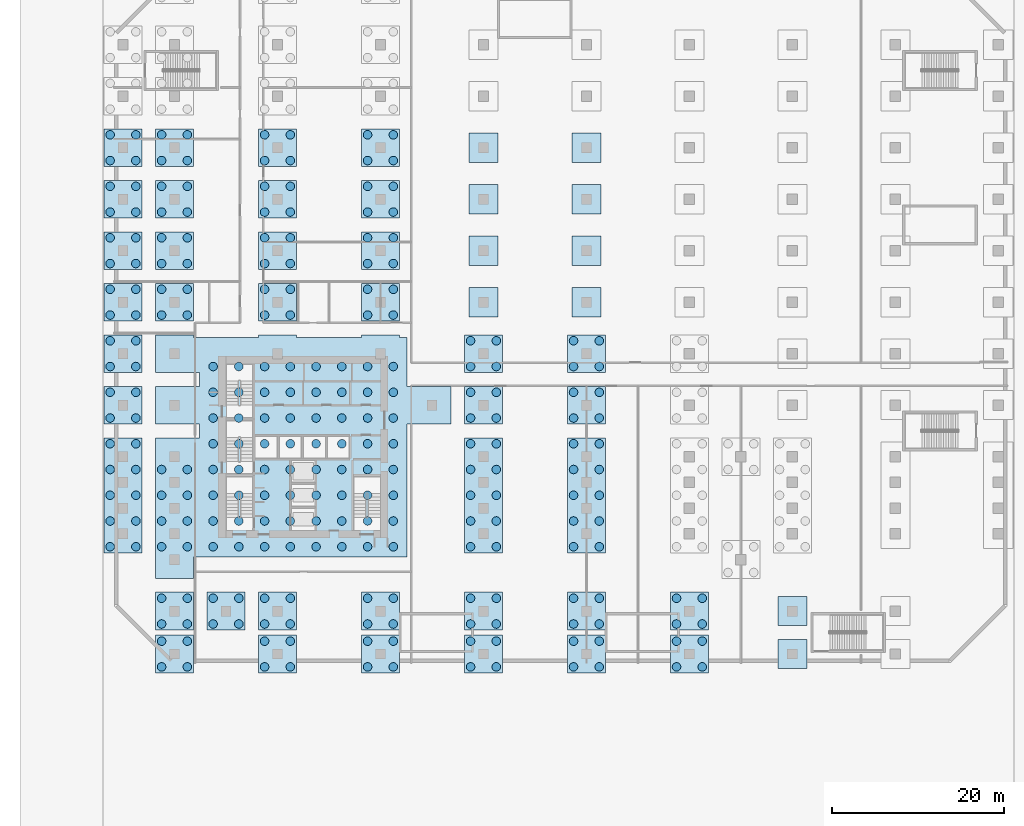
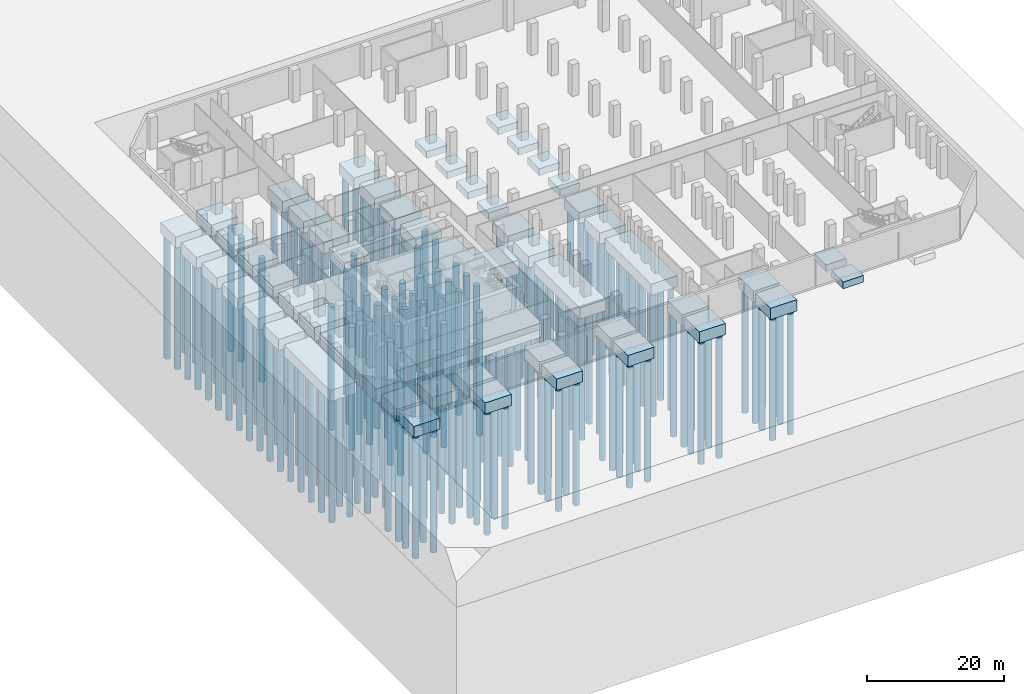
# One storey, part 1 of 16: 242 piles, 49 footings.
"""IFC4 building model written with IfcOpenShell, lengths in metres."""

from ifc_helpers import new_model, si_unit, direction, frame, origin, origin_2d, place, context, subcontext, project, spatial, polyline, rectangle, circle, outline, extrude, material, layer, layer_set, type_object, element, save


model = new_model("IFC4")

# Units and contexts
model_context = context("Model", 3, precision=1e-05, world=origin(), true_north=direction((0.0, 1.0)))
body_context = subcontext(model_context, "Body", "Model", "MODEL_VIEW")
ifc_project = project(units=[si_unit("LENGTHUNIT", "METRE"), si_unit("AREAUNIT", "SQUARE_METRE"), si_unit("VOLUMEUNIT", "CUBIC_METRE"), si_unit("PLANEANGLEUNIT", "RADIAN"), si_unit("MASSUNIT", "GRAM", prefix="KILO")], contexts=[model_context])

# Site, building, storey
site_placement = place(None, origin())
site = spatial("IfcSite", under=ifc_project, at=site_placement, CompositionType="ELEMENT")
building_placement = place(site_placement, origin())
building = spatial("IfcBuilding", under=site, at=building_placement, Name="Welwitschia Terrace Campus", CompositionType="ELEMENT")
storey_placement = place(building_placement, frame((0.0, 0.0, -6.0)))
storey = spatial("IfcBuildingStorey", under=building, at=storey_placement, Name="B1", CompositionType="ELEMENT", Elevation=-6.0)

# Piles
ifc_material_1 = material(Name="Concrete C40/50", Category="concrete")
pile_type_1 = type_object("IfcPileType", Name="Bored pile 1000", PredefinedType="BORED", material=ifc_material_1)
for number, where, z_axis, x_axis, name in (
    (1, (-1.5, 3.5, -2.699951171875), (0.0, 0.0, -1.0), (1.0, 0.0, 0.0), "Bored pile"),
    (2, (-1.5, 6.5, -2.699951171875), (0.0, 0.0, -1.0), (1.0, 0.0, 0.0), "Bored pile"),
    (3, (-1.5, 9.5, -2.699951171875), (0.0, 0.0, -1.0), (1.0, 0.0, 0.0), "Bored pile"),
    (4, (-1.5, 12.5, -2.699951171875), (0.0, 0.0, -1.0), (1.0, 0.0, 0.0), "Bored pile"),
    (5, (1.5, 3.5, -2.699951171875), (0.0, 0.0, -1.0), (1.0, 0.0, 0.0), "Bored pile"),
    (6, (1.5, 6.5, -2.699951171875), (0.0, 0.0, -1.0), (1.0, 0.0, 0.0), "Bored pile"),
    (7, (1.5, 9.5, -2.699951171875), (0.0, 0.0, -1.0), (1.0, 0.0, 0.0), "Bored pile"),
    (8, (1.5, 12.5, -2.699951171875), (0.0, 0.0, -1.0), (1.0, 0.0, 0.0), "Bored pile"),
    (9, (4.5, 3.5, -2.699951171875), (0.0, 0.0, -1.0), (1.0, 0.0, 0.0), "Bored pile"),
    (10, (4.5, 6.5, -2.699951171875), (0.0, 0.0, -1.0), (1.0, 0.0, 0.0), "Bored pile"),
    (11, (4.5, 9.5, -2.699951171875), (0.0, 0.0, -1.0), (1.0, 0.0, 0.0), "Bored pile"),
    (12, (4.5, 12.5, -2.699951171875), (0.0, 0.0, -1.0), (1.0, 0.0, 0.0), "Bored pile"),
    (13, (4.5, 15.5, -2.699951171875), (0.0, 0.0, -1.0), (1.0, 0.0, 0.0), "Bored pile"),
    (14, (4.5, 18.5, -2.699951171875), (0.0, 0.0, -1.0), (1.0, 0.0, 0.0), "Bored pile"),
    (15, (4.5, 21.5, -2.699951171875), (0.0, 0.0, -1.0), (1.0, 0.0, 0.0), "Bored pile"),
    (16, (4.5, 24.5, -2.699951171875), (0.0, 0.0, -1.0), (1.0, 0.0, 0.0), "Bored pile"),
    (17, (7.5, 3.5, -2.699951171875), (0.0, 0.0, -1.0), (1.0, 0.0, 0.0), "Bored pile"),
    (18, (7.5, 6.5, -2.699951171875), (0.0, 0.0, -1.0), (1.0, 0.0, 0.0), "Bored pile"),
    (19, (7.5, 9.5, -2.699951171875), (0.0, 0.0, -1.0), (1.0, 0.0, 0.0), "Bored pile"),
    (20, (7.5, 12.5, -2.699951171875), (0.0, 0.0, -1.0), (1.0, 0.0, 0.0), "Bored pile"),
    (21, (7.5, 15.5, -2.699951171875), (0.0, 0.0, -1.0), (1.0, 0.0, 0.0), "Bored pile"),
    (22, (7.5, 18.5, -2.699951171875), (0.0, 0.0, -1.0), (1.0, 0.0, 0.0), "Bored pile"),
    (23, (7.5, 21.5, -2.699951171875), (0.0, 0.0, -1.0), (1.0, 0.0, 0.0), "Bored pile"),
    (24, (7.5, 24.5, -2.699951171875), (0.0, 0.0, -1.0), (1.0, 0.0, 0.0), "Bored pile"),
    (25, (10.5, 3.5, -2.699951171875), (0.0, 0.0, -1.0), (1.0, 0.0, 0.0), "Bored pile"),
    (26, (10.5, 6.5, -2.699951171875), (0.0, 0.0, -1.0), (1.0, 0.0, 0.0), "Bored pile"),
    (27, (10.5, 9.5, -2.699951171875), (0.0, 0.0, -1.0), (1.0, 0.0, 0.0), "Bored pile"),
    (28, (10.5, 12.5, -2.699951171875), (0.0, 0.0, -1.0), (1.0, 0.0, 0.0), "Bored pile"),
    (29, (10.5, 15.5, -2.699951171875), (0.0, 0.0, -1.0), (1.0, 0.0, 0.0), "Bored pile"),
    (30, (10.5, 18.5, -2.699951171875), (0.0, 0.0, -1.0), (1.0, 0.0, 0.0), "Bored pile"),
    (31, (10.5, 21.5, -2.699951171875), (0.0, 0.0, -1.0), (1.0, 0.0, 0.0), "Bored pile"),
    (32, (10.5, 24.5, -2.699951171875), (0.0, 0.0, -1.0), (1.0, 0.0, 0.0), "Bored pile"),
    (33, (13.5, 3.5, -2.699951171875), (0.0, 0.0, -1.0), (1.0, 0.0, 0.0), "Bored pile"),
    (34, (13.5, 6.5, -2.699951171875), (0.0, 0.0, -1.0), (1.0, 0.0, 0.0), "Bored pile"),
    (35, (13.5, 9.5, -2.699951171875), (0.0, 0.0, -1.0), (1.0, 0.0, 0.0), "Bored pile"),
    (36, (13.5, 12.5, -2.699951171875), (0.0, 0.0, -1.0), (1.0, 0.0, 0.0), "Bored pile"),
    (37, (13.5, 15.5, -2.699951171875), (0.0, 0.0, -1.0), (1.0, 0.0, 0.0), "Bored pile"),
    (38, (13.5, 18.5, -2.699951171875), (0.0, 0.0, -1.0), (1.0, 0.0, 0.0), "Bored pile"),
    (39, (13.5, 21.5, -2.699951171875), (0.0, 0.0, -1.0), (1.0, 0.0, 0.0), "Bored pile"),
    (40, (13.5, 24.5, -2.699951171875), (0.0, 0.0, -1.0), (1.0, 0.0, 0.0), "Bored pile"),
    (41, (16.5, 3.5, -2.699951171875), (0.0, 0.0, -1.0), (1.0, 0.0, 0.0), "Bored pile"),
    (42, (16.5, 6.5, -2.699951171875), (0.0, 0.0, -1.0), (1.0, 0.0, 0.0), "Bored pile"),
    (43, (16.5, 9.5, -2.699951171875), (0.0, 0.0, -1.0), (1.0, 0.0, 0.0), "Bored pile"),
    (44, (16.5, 12.5, -2.699951171875), (0.0, 0.0, -1.0), (1.0, 0.0, 0.0), "Bored pile"),
    (45, (16.5, 15.5, -2.699951171875), (0.0, 0.0, -1.0), (1.0, 0.0, 0.0), "Bored pile"),
    (46, (16.5, 18.5, -2.699951171875), (0.0, 0.0, -1.0), (1.0, 0.0, 0.0), "Bored pile"),
    (47, (16.5, 21.5, -2.699951171875), (0.0, 0.0, -1.0), (1.0, 0.0, 0.0), "Bored pile"),
    (48, (16.5, 24.5, -2.699951171875), (0.0, 0.0, -1.0), (1.0, 0.0, 0.0), "Bored pile"),
    (49, (19.5, 3.5, -2.699951171875), (0.0, 0.0, -1.0), (1.0, 0.0, 0.0), "Bored pile"),
    (50, (19.5, 6.5, -2.699951171875), (0.0, 0.0, -1.0), (1.0, 0.0, 0.0), "Bored pile"),
    (51, (19.5, 9.5, -2.699951171875), (0.0, 0.0, -1.0), (1.0, 0.0, 0.0), "Bored pile"),
    (52, (19.5, 12.5, -2.699951171875), (0.0, 0.0, -1.0), (1.0, 0.0, 0.0), "Bored pile"),
    (53, (19.5, 15.5, -2.699951171875), (0.0, 0.0, -1.0), (1.0, 0.0, 0.0), "Bored pile"),
    (54, (19.5, 18.5, -2.699951171875), (0.0, 0.0, -1.0), (1.0, 0.0, 0.0), "Bored pile"),
    (55, (19.5, 21.5, -2.699951171875), (0.0, 0.0, -1.0), (1.0, 0.0, 0.0), "Bored pile"),
    (56, (19.5, 24.5, -2.699951171875), (0.0, 0.0, -1.0), (1.0, 0.0, 0.0), "Bored pile"),
    (57, (22.5, 3.5, -2.699951171875), (0.0, 0.0, -1.0), (1.0, 0.0, 0.0), "Bored pile"),
    (58, (22.5, 6.5, -2.699951171875), (0.0, 0.0, -1.0), (1.0, 0.0, 0.0), "Bored pile"),
    (59, (22.5, 9.5, -2.699951171875), (0.0, 0.0, -1.0), (1.0, 0.0, 0.0), "Bored pile"),
    (60, (22.5, 12.5, -2.699951171875), (0.0, 0.0, -1.0), (1.0, 0.0, 0.0), "Bored pile"),
    (61, (22.5, 15.5, -2.699951171875), (0.0, 0.0, -1.0), (1.0, 0.0, 0.0), "Bored pile"),
    (62, (22.5, 18.5, -2.699951171875), (0.0, 0.0, -1.0), (1.0, 0.0, 0.0), "Bored pile"),
    (63, (22.5, 21.5, -2.699951171875), (0.0, 0.0, -1.0), (1.0, 0.0, 0.0), "Bored pile"),
    (64, (22.5, 24.5, -2.699951171875), (0.0, 0.0, -1.0), (1.0, 0.0, 0.0), "Bored pile"),
    (65, (25.5, 3.5, -2.699951171875), (0.0, 0.0, -1.0), (1.0, 0.0, 0.0), "Bored pile"),
    (66, (25.5, 6.5, -2.699951171875), (0.0, 0.0, -1.0), (1.0, 0.0, 0.0), "Bored pile"),
    (67, (25.5, 9.5, -2.699951171875), (0.0, 0.0, -1.0), (1.0, 0.0, 0.0), "Bored pile"),
    (68, (25.5, 12.5, -2.699951171875), (0.0, 0.0, -1.0), (1.0, 0.0, 0.0), "Bored pile"),
    (69, (25.5, 15.5, -2.699951171875), (0.0, 0.0, -1.0), (1.0, 0.0, 0.0), "Bored pile"),
    (70, (25.5, 18.5, -2.699951171875), (0.0, 0.0, -1.0), (1.0, 0.0, 0.0), "Bored pile"),
    (71, (25.5, 21.5, -2.699951171875), (0.0, 0.0, -1.0), (1.0, 0.0, 0.0), "Bored pile"),
    (72, (25.5, 24.5, -2.699951171875), (0.0, 0.0, -1.0), (1.0, 0.0, 0.0), "Bored pile"),
):
    element("IfcPile", number, at=place(storey_placement, frame(where, z_axis=z_axis, x_axis=x_axis)), inside=storey, type_object=pile_type_1, Name=name, PredefinedType="BORED", context=body_context, shape_type="SweptSolid", body=[
        extrude(circle(Radius=0.5, at=origin_2d()), origin(), (0.0, 0.0, 1.0), 22.0),
    ])
ifc_material_2 = material(Name="Concrete C40/50", Category="concrete")
pile_type_2 = type_object("IfcPileType", Name="Bored pile 1000 under cap", PredefinedType="BORED", material=ifc_material_2)
for number, where, z_axis, x_axis, name in (
    (73, (-7.5, 3.5, -2.199951171875), (0.0, 0.0, -1.0), (1.0, 0.0, 0.0), "Bored pile"),
    (74, (-4.5, 3.5, -2.199951171875), (0.0, 0.0, -1.0), (1.0, 0.0, 0.0), "Bored pile"),
    (75, (-7.5, 6.5, -2.199951171875), (0.0, 0.0, -1.0), (1.0, 0.0, 0.0), "Bored pile"),
    (76, (-4.5, 6.5, -2.199951171875), (0.0, 0.0, -1.0), (1.0, 0.0, 0.0), "Bored pile"),
    (77, (-7.5, 9.5, -2.199951171875), (0.0, 0.0, -1.0), (1.0, 0.0, 0.0), "Bored pile"),
    (78, (-4.5, 9.5, -2.199951171875), (0.0, 0.0, -1.0), (1.0, 0.0, 0.0), "Bored pile"),
    (79, (-7.5, 12.5, -2.199951171875), (0.0, 0.0, -1.0), (1.0, 0.0, 0.0), "Bored pile"),
    (80, (-4.5, 12.5, -2.199951171875), (0.0, 0.0, -1.0), (1.0, 0.0, 0.0), "Bored pile"),
    (81, (-7.5, 15.5, -2.199951171875), (0.0, 0.0, -1.0), (1.0, 0.0, 0.0), "Bored pile"),
    (82, (-4.5, 15.5, -2.199951171875), (0.0, 0.0, -1.0), (1.0, 0.0, 0.0), "Bored pile"),
    (83, (34.5, 3.5, -2.199951171875), (0.0, 0.0, -1.0), (1.0, 0.0, 0.0), "Bored pile"),
    (84, (37.5, 3.5, -2.199951171875), (0.0, 0.0, -1.0), (1.0, 0.0, 0.0), "Bored pile"),
    (85, (34.5, 6.5, -2.199951171875), (0.0, 0.0, -1.0), (1.0, 0.0, 0.0), "Bored pile"),
    (86, (37.5, 6.5, -2.199951171875), (0.0, 0.0, -1.0), (1.0, 0.0, 0.0), "Bored pile"),
    (87, (34.5, 9.5, -2.199951171875), (0.0, 0.0, -1.0), (1.0, 0.0, 0.0), "Bored pile"),
    (88, (37.5, 9.5, -2.199951171875), (0.0, 0.0, -1.0), (1.0, 0.0, 0.0), "Bored pile"),
    (89, (34.5, 12.5, -2.199951171875), (0.0, 0.0, -1.0), (1.0, 0.0, 0.0), "Bored pile"),
    (90, (37.5, 12.5, -2.199951171875), (0.0, 0.0, -1.0), (1.0, 0.0, 0.0), "Bored pile"),
    (91, (34.5, 15.5, -2.199951171875), (0.0, 0.0, -1.0), (1.0, 0.0, 0.0), "Bored pile"),
    (92, (37.5, 15.5, -2.199951171875), (0.0, 0.0, -1.0), (1.0, 0.0, 0.0), "Bored pile"),
    (93, (46.5, 3.5, -2.199951171875), (0.0, 0.0, -1.0), (1.0, 0.0, 0.0), "Bored pile"),
    (94, (49.5, 3.5, -2.199951171875), (0.0, 0.0, -1.0), (1.0, 0.0, 0.0), "Bored pile"),
    (95, (46.5, 6.5, -2.199951171875), (0.0, 0.0, -1.0), (1.0, 0.0, 0.0), "Bored pile"),
    (96, (49.5, 6.5, -2.199951171875), (0.0, 0.0, -1.0), (1.0, 0.0, 0.0), "Bored pile"),
    (97, (46.5, 9.5, -2.199951171875), (0.0, 0.0, -1.0), (1.0, 0.0, 0.0), "Bored pile"),
    (98, (49.5, 9.5, -2.199951171875), (0.0, 0.0, -1.0), (1.0, 0.0, 0.0), "Bored pile"),
    (99, (46.5, 12.5, -2.199951171875), (0.0, 0.0, -1.0), (1.0, 0.0, 0.0), "Bored pile"),
    (100, (49.5, 12.5, -2.199951171875), (0.0, 0.0, -1.0), (1.0, 0.0, 0.0), "Bored pile"),
    (101, (46.5, 15.5, -2.199951171875), (0.0, 0.0, -1.0), (1.0, 0.0, 0.0), "Bored pile"),
    (102, (49.5, 15.5, -2.199951171875), (0.0, 0.0, -1.0), (1.0, 0.0, 0.0), "Bored pile"),
    (103, (-7.5, 18.5, -2.199951171875), (0.0, 0.0, -1.0), (1.0, 0.0, 0.0), "Bored pile"),
    (104, (-7.5, 21.5, -2.199951171875), (0.0, 0.0, -1.0), (1.0, 0.0, 0.0), "Bored pile"),
    (105, (-4.5, 18.5, -2.199951171875), (0.0, 0.0, -1.0), (1.0, 0.0, 0.0), "Bored pile"),
    (106, (-4.5, 21.5, -2.199951171875), (0.0, 0.0, -1.0), (1.0, 0.0, 0.0), "Bored pile"),
    (107, (-7.5, 24.5, -2.199951171875), (0.0, 0.0, -1.0), (1.0, 0.0, 0.0), "Bored pile"),
    (108, (-7.5, 27.5, -2.199951171875), (0.0, 0.0, -1.0), (1.0, 0.0, 0.0), "Bored pile"),
    (109, (-4.5, 24.5, -2.199951171875), (0.0, 0.0, -1.0), (1.0, 0.0, 0.0), "Bored pile"),
    (110, (-4.5, 27.5, -2.199951171875), (0.0, 0.0, -1.0), (1.0, 0.0, 0.0), "Bored pile"),
    (111, (-7.5, 30.5, -2.199951171875), (0.0, 0.0, -1.0), (1.0, 0.0, 0.0), "Bored pile"),
    (112, (-7.5, 33.5, -2.199951171875), (0.0, 0.0, -1.0), (1.0, 0.0, 0.0), "Bored pile"),
    (113, (-4.5, 30.5, -2.199951171875), (0.0, 0.0, -1.0), (1.0, 0.0, 0.0), "Bored pile"),
    (114, (-4.5, 33.5, -2.199951171875), (0.0, 0.0, -1.0), (1.0, 0.0, 0.0), "Bored pile"),
    (115, (-7.5, 36.5, -2.199951171875), (0.0, 0.0, -1.0), (1.0, 0.0, 0.0), "Bored pile"),
    (116, (-7.5, 39.5, -2.199951171875), (0.0, 0.0, -1.0), (1.0, 0.0, 0.0), "Bored pile"),
    (117, (-4.5, 36.5, -2.199951171875), (0.0, 0.0, -1.0), (1.0, 0.0, 0.0), "Bored pile"),
    (118, (-4.5, 39.5, -2.199951171875), (0.0, 0.0, -1.0), (1.0, 0.0, 0.0), "Bored pile"),
    (119, (-7.5, 42.5, -2.199951171875), (0.0, 0.0, -1.0), (1.0, 0.0, 0.0), "Bored pile"),
    (120, (-7.5, 45.5, -2.199951171875), (0.0, 0.0, -1.0), (1.0, 0.0, 0.0), "Bored pile"),
    (121, (-4.5, 42.5, -2.199951171875), (0.0, 0.0, -1.0), (1.0, 0.0, 0.0), "Bored pile"),
    (122, (-4.5, 45.5, -2.199951171875), (0.0, 0.0, -1.0), (1.0, 0.0, 0.0), "Bored pile"),
    (123, (-7.5, 48.5, -2.199951171875), (0.0, 0.0, -1.0), (1.0, 0.0, 0.0), "Bored pile"),
    (124, (-7.5, 51.5, -2.199951171875), (0.0, 0.0, -1.0), (1.0, 0.0, 0.0), "Bored pile"),
    (125, (-4.5, 48.5, -2.199951171875), (0.0, 0.0, -1.0), (1.0, 0.0, 0.0), "Bored pile"),
    (126, (-4.5, 51.5, -2.199951171875), (0.0, 0.0, -1.0), (1.0, 0.0, 0.0), "Bored pile"),
    (127, (-1.5, -10.5, -2.199951171875), (0.0, 0.0, -1.0), (1.0, 0.0, 0.0), "Bored pile"),
    (128, (-1.5, -7.5, -2.199951171875), (0.0, 0.0, -1.0), (1.0, 0.0, 0.0), "Bored pile"),
    (129, (1.5, -10.5, -2.199951171875), (0.0, 0.0, -1.0), (1.0, 0.0, 0.0), "Bored pile"),
    (130, (1.5, -7.5, -2.199951171875), (0.0, 0.0, -1.0), (1.0, 0.0, 0.0), "Bored pile"),
    (131, (-1.5, -5.5, -2.199951171875), (0.0, 0.0, -1.0), (1.0, 0.0, 0.0), "Bored pile"),
    (132, (-1.5, -2.5, -2.199951171875), (0.0, 0.0, -1.0), (1.0, 0.0, 0.0), "Bored pile"),
    (133, (1.5, -5.5, -2.199951171875), (0.0, 0.0, -1.0), (1.0, 0.0, 0.0), "Bored pile"),
    (134, (1.5, -2.5, -2.199951171875), (0.0, 0.0, -1.0), (1.0, 0.0, 0.0), "Bored pile"),
    (135, (-1.5, 30.5, -2.199951171875), (0.0, 0.0, -1.0), (1.0, 0.0, 0.0), "Bored pile"),
    (136, (-1.5, 33.5, -2.199951171875), (0.0, 0.0, -1.0), (1.0, 0.0, 0.0), "Bored pile"),
    (137, (1.5, 30.5, -2.199951171875), (0.0, 0.0, -1.0), (1.0, 0.0, 0.0), "Bored pile"),
    (138, (1.5, 33.5, -2.199951171875), (0.0, 0.0, -1.0), (1.0, 0.0, 0.0), "Bored pile"),
    (139, (-1.5, 36.5, -2.199951171875), (0.0, 0.0, -1.0), (1.0, 0.0, 0.0), "Bored pile"),
    (140, (-1.5, 39.5, -2.199951171875), (0.0, 0.0, -1.0), (1.0, 0.0, 0.0), "Bored pile"),
    (141, (1.5, 36.5, -2.199951171875), (0.0, 0.0, -1.0), (1.0, 0.0, 0.0), "Bored pile"),
    (142, (1.5, 39.5, -2.199951171875), (0.0, 0.0, -1.0), (1.0, 0.0, 0.0), "Bored pile"),
    (143, (-1.5, 42.5, -2.199951171875), (0.0, 0.0, -1.0), (1.0, 0.0, 0.0), "Bored pile"),
    (144, (-1.5, 45.5, -2.199951171875), (0.0, 0.0, -1.0), (1.0, 0.0, 0.0), "Bored pile"),
    (145, (1.5, 42.5, -2.199951171875), (0.0, 0.0, -1.0), (1.0, 0.0, 0.0), "Bored pile"),
    (146, (1.5, 45.5, -2.199951171875), (0.0, 0.0, -1.0), (1.0, 0.0, 0.0), "Bored pile"),
    (147, (-1.5, 48.5, -2.199951171875), (0.0, 0.0, -1.0), (1.0, 0.0, 0.0), "Bored pile"),
    (148, (-1.5, 51.5, -2.199951171875), (0.0, 0.0, -1.0), (1.0, 0.0, 0.0), "Bored pile"),
    (149, (1.5, 48.5, -2.199951171875), (0.0, 0.0, -1.0), (1.0, 0.0, 0.0), "Bored pile"),
    (150, (1.5, 51.5, -2.199951171875), (0.0, 0.0, -1.0), (1.0, 0.0, 0.0), "Bored pile"),
    (151, (4.5, -5.5, -2.199951171875), (0.0, 0.0, -1.0), (1.0, 0.0, 0.0), "Bored pile"),
    (152, (4.5, -2.5, -2.199951171875), (0.0, 0.0, -1.0), (1.0, 0.0, 0.0), "Bored pile"),
    (153, (7.5, -5.5, -2.199951171875), (0.0, 0.0, -1.0), (1.0, 0.0, 0.0), "Bored pile"),
    (154, (7.5, -2.5, -2.199951171875), (0.0, 0.0, -1.0), (1.0, 0.0, 0.0), "Bored pile"),
    (155, (10.5, -10.5, -2.199951171875), (0.0, 0.0, -1.0), (1.0, 0.0, 0.0), "Bored pile"),
    (156, (10.5, -7.5, -2.199951171875), (0.0, 0.0, -1.0), (1.0, 0.0, 0.0), "Bored pile"),
    (157, (13.5, -10.5, -2.199951171875), (0.0, 0.0, -1.0), (1.0, 0.0, 0.0), "Bored pile"),
    (158, (13.5, -7.5, -2.199951171875), (0.0, 0.0, -1.0), (1.0, 0.0, 0.0), "Bored pile"),
    (159, (10.5, -5.5, -2.199951171875), (0.0, 0.0, -1.0), (1.0, 0.0, 0.0), "Bored pile"),
    (160, (10.5, -2.5, -2.199951171875), (0.0, 0.0, -1.0), (1.0, 0.0, 0.0), "Bored pile"),
    (161, (13.5, -5.5, -2.199951171875), (0.0, 0.0, -1.0), (1.0, 0.0, 0.0), "Bored pile"),
    (162, (13.5, -2.5, -2.199951171875), (0.0, 0.0, -1.0), (1.0, 0.0, 0.0), "Bored pile"),
    (163, (10.5, 30.5, -2.199951171875), (0.0, 0.0, -1.0), (1.0, 0.0, 0.0), "Bored pile"),
    (164, (10.5, 33.5, -2.199951171875), (0.0, 0.0, -1.0), (1.0, 0.0, 0.0), "Bored pile"),
    (165, (13.5, 30.5, -2.199951171875), (0.0, 0.0, -1.0), (1.0, 0.0, 0.0), "Bored pile"),
    (166, (13.5, 33.5, -2.199951171875), (0.0, 0.0, -1.0), (1.0, 0.0, 0.0), "Bored pile"),
    (167, (10.5, 36.5, -2.199951171875), (0.0, 0.0, -1.0), (1.0, 0.0, 0.0), "Bored pile"),
    (168, (10.5, 39.5, -2.199951171875), (0.0, 0.0, -1.0), (1.0, 0.0, 0.0), "Bored pile"),
    (169, (13.5, 36.5, -2.199951171875), (0.0, 0.0, -1.0), (1.0, 0.0, 0.0), "Bored pile"),
    (170, (13.5, 39.5, -2.199951171875), (0.0, 0.0, -1.0), (1.0, 0.0, 0.0), "Bored pile"),
    (171, (10.5, 42.5, -2.199951171875), (0.0, 0.0, -1.0), (1.0, 0.0, 0.0), "Bored pile"),
    (172, (10.5, 45.5, -2.199951171875), (0.0, 0.0, -1.0), (1.0, 0.0, 0.0), "Bored pile"),
    (173, (13.5, 42.5, -2.199951171875), (0.0, 0.0, -1.0), (1.0, 0.0, 0.0), "Bored pile"),
    (174, (13.5, 45.5, -2.199951171875), (0.0, 0.0, -1.0), (1.0, 0.0, 0.0), "Bored pile"),
    (175, (10.5, 48.5, -2.199951171875), (0.0, 0.0, -1.0), (1.0, 0.0, 0.0), "Bored pile"),
    (176, (10.5, 51.5, -2.199951171875), (0.0, 0.0, -1.0), (1.0, 0.0, 0.0), "Bored pile"),
    (177, (13.5, 48.5, -2.199951171875), (0.0, 0.0, -1.0), (1.0, 0.0, 0.0), "Bored pile"),
    (178, (13.5, 51.5, -2.199951171875), (0.0, 0.0, -1.0), (1.0, 0.0, 0.0), "Bored pile"),
    (179, (22.5, -10.5, -2.199951171875), (0.0, 0.0, -1.0), (1.0, 0.0, 0.0), "Bored pile"),
    (180, (22.5, -7.5, -2.199951171875), (0.0, 0.0, -1.0), (1.0, 0.0, 0.0), "Bored pile"),
    (181, (25.5, -10.5, -2.199951171875), (0.0, 0.0, -1.0), (1.0, 0.0, 0.0), "Bored pile"),
    (182, (25.5, -7.5, -2.199951171875), (0.0, 0.0, -1.0), (1.0, 0.0, 0.0), "Bored pile"),
    (183, (22.5, -5.5, -2.199951171875), (0.0, 0.0, -1.0), (1.0, 0.0, 0.0), "Bored pile"),
    (184, (22.5, -2.5, -2.199951171875), (0.0, 0.0, -1.0), (1.0, 0.0, 0.0), "Bored pile"),
    (185, (25.5, -5.5, -2.199951171875), (0.0, 0.0, -1.0), (1.0, 0.0, 0.0), "Bored pile"),
    (186, (25.5, -2.5, -2.199951171875), (0.0, 0.0, -1.0), (1.0, 0.0, 0.0), "Bored pile"),
    (187, (22.5, 30.5, -2.199951171875), (0.0, 0.0, -1.0), (1.0, 0.0, 0.0), "Bored pile"),
    (188, (22.5, 33.5, -2.199951171875), (0.0, 0.0, -1.0), (1.0, 0.0, 0.0), "Bored pile"),
    (189, (25.5, 30.5, -2.199951171875), (0.0, 0.0, -1.0), (1.0, 0.0, 0.0), "Bored pile"),
    (190, (25.5, 33.5, -2.199951171875), (0.0, 0.0, -1.0), (1.0, 0.0, 0.0), "Bored pile"),
    (191, (22.5, 36.5, -2.199951171875), (0.0, 0.0, -1.0), (1.0, 0.0, 0.0), "Bored pile"),
    (192, (22.5, 39.5, -2.199951171875), (0.0, 0.0, -1.0), (1.0, 0.0, 0.0), "Bored pile"),
    (193, (25.5, 36.5, -2.199951171875), (0.0, 0.0, -1.0), (1.0, 0.0, 0.0), "Bored pile"),
    (194, (25.5, 39.5, -2.199951171875), (0.0, 0.0, -1.0), (1.0, 0.0, 0.0), "Bored pile"),
    (195, (22.5, 42.5, -2.199951171875), (0.0, 0.0, -1.0), (1.0, 0.0, 0.0), "Bored pile"),
    (196, (22.5, 45.5, -2.199951171875), (0.0, 0.0, -1.0), (1.0, 0.0, 0.0), "Bored pile"),
    (197, (25.5, 42.5, -2.199951171875), (0.0, 0.0, -1.0), (1.0, 0.0, 0.0), "Bored pile"),
    (198, (25.5, 45.5, -2.199951171875), (0.0, 0.0, -1.0), (1.0, 0.0, 0.0), "Bored pile"),
    (199, (22.5, 48.5, -2.199951171875), (0.0, 0.0, -1.0), (1.0, 0.0, 0.0), "Bored pile"),
    (200, (22.5, 51.5, -2.199951171875), (0.0, 0.0, -1.0), (1.0, 0.0, 0.0), "Bored pile"),
    (201, (25.5, 48.5, -2.199951171875), (0.0, 0.0, -1.0), (1.0, 0.0, 0.0), "Bored pile"),
    (202, (25.5, 51.5, -2.199951171875), (0.0, 0.0, -1.0), (1.0, 0.0, 0.0), "Bored pile"),
    (203, (34.5, -10.5, -2.199951171875), (0.0, 0.0, -1.0), (1.0, 0.0, 0.0), "Bored pile"),
    (204, (34.5, -7.5, -2.199951171875), (0.0, 0.0, -1.0), (1.0, 0.0, 0.0), "Bored pile"),
    (205, (37.5, -10.5, -2.199951171875), (0.0, 0.0, -1.0), (1.0, 0.0, 0.0), "Bored pile"),
    (206, (37.5, -7.5, -2.199951171875), (0.0, 0.0, -1.0), (1.0, 0.0, 0.0), "Bored pile"),
    (207, (34.5, -5.5, -2.199951171875), (0.0, 0.0, -1.0), (1.0, 0.0, 0.0), "Bored pile"),
    (208, (34.5, -2.5, -2.199951171875), (0.0, 0.0, -1.0), (1.0, 0.0, 0.0), "Bored pile"),
    (209, (37.5, -5.5, -2.199951171875), (0.0, 0.0, -1.0), (1.0, 0.0, 0.0), "Bored pile"),
    (210, (37.5, -2.5, -2.199951171875), (0.0, 0.0, -1.0), (1.0, 0.0, 0.0), "Bored pile"),
    (211, (34.5, 18.5, -2.199951171875), (0.0, 0.0, -1.0), (1.0, 0.0, 0.0), "Bored pile"),
    (212, (34.5, 21.5, -2.199951171875), (0.0, 0.0, -1.0), (1.0, 0.0, 0.0), "Bored pile"),
    (213, (37.5, 18.5, -2.199951171875), (0.0, 0.0, -1.0), (1.0, 0.0, 0.0), "Bored pile"),
    (214, (37.5, 21.5, -2.199951171875), (0.0, 0.0, -1.0), (1.0, 0.0, 0.0), "Bored pile"),
    (215, (34.5, 24.5, -2.199951171875), (0.0, 0.0, -1.0), (1.0, 0.0, 0.0), "Bored pile"),
    (216, (34.5, 27.5, -2.199951171875), (0.0, 0.0, -1.0), (1.0, 0.0, 0.0), "Bored pile"),
    (217, (37.5, 24.5, -2.199951171875), (0.0, 0.0, -1.0), (1.0, 0.0, 0.0), "Bored pile"),
    (218, (37.5, 27.5, -2.199951171875), (0.0, 0.0, -1.0), (1.0, 0.0, 0.0), "Bored pile"),
    (219, (46.5, -10.5, -2.199951171875), (0.0, 0.0, -1.0), (1.0, 0.0, 0.0), "Bored pile"),
    (220, (46.5, -7.5, -2.199951171875), (0.0, 0.0, -1.0), (1.0, 0.0, 0.0), "Bored pile"),
    (221, (49.5, -10.5, -2.199951171875), (0.0, 0.0, -1.0), (1.0, 0.0, 0.0), "Bored pile"),
    (222, (49.5, -7.5, -2.199951171875), (0.0, 0.0, -1.0), (1.0, 0.0, 0.0), "Bored pile"),
    (223, (46.5, -5.5, -2.199951171875), (0.0, 0.0, -1.0), (1.0, 0.0, 0.0), "Bored pile"),
    (224, (46.5, -2.5, -2.199951171875), (0.0, 0.0, -1.0), (1.0, 0.0, 0.0), "Bored pile"),
    (225, (49.5, -5.5, -2.199951171875), (0.0, 0.0, -1.0), (1.0, 0.0, 0.0), "Bored pile"),
    (226, (49.5, -2.5, -2.199951171875), (0.0, 0.0, -1.0), (1.0, 0.0, 0.0), "Bored pile"),
    (227, (46.5, 18.5, -2.199951171875), (0.0, 0.0, -1.0), (1.0, 0.0, 0.0), "Bored pile"),
    (228, (46.5, 21.5, -2.199951171875), (0.0, 0.0, -1.0), (1.0, 0.0, 0.0), "Bored pile"),
    (229, (49.5, 18.5, -2.199951171875), (0.0, 0.0, -1.0), (1.0, 0.0, 0.0), "Bored pile"),
    (230, (49.5, 21.5, -2.199951171875), (0.0, 0.0, -1.0), (1.0, 0.0, 0.0), "Bored pile"),
    (231, (46.5, 24.5, -2.199951171875), (0.0, 0.0, -1.0), (1.0, 0.0, 0.0), "Bored pile"),
    (232, (46.5, 27.5, -2.199951171875), (0.0, 0.0, -1.0), (1.0, 0.0, 0.0), "Bored pile"),
    (233, (49.5, 24.5, -2.199951171875), (0.0, 0.0, -1.0), (1.0, 0.0, 0.0), "Bored pile"),
    (234, (49.5, 27.5, -2.199951171875), (0.0, 0.0, -1.0), (1.0, 0.0, 0.0), "Bored pile"),
    (235, (58.5, -10.5, -2.199951171875), (0.0, 0.0, -1.0), (1.0, 0.0, 0.0), "Bored pile"),
    (236, (58.5, -7.5, -2.199951171875), (0.0, 0.0, -1.0), (1.0, 0.0, 0.0), "Bored pile"),
    (237, (61.5, -10.5, -2.199951171875), (0.0, 0.0, -1.0), (1.0, 0.0, 0.0), "Bored pile"),
    (238, (61.5, -7.5, -2.199951171875), (0.0, 0.0, -1.0), (1.0, 0.0, 0.0), "Bored pile"),
    (239, (58.5, -5.5, -2.199951171875), (0.0, 0.0, -1.0), (1.0, 0.0, 0.0), "Bored pile"),
    (240, (58.5, -2.5, -2.199951171875), (0.0, 0.0, -1.0), (1.0, 0.0, 0.0), "Bored pile"),
    (241, (61.5, -5.5, -2.199951171875), (0.0, 0.0, -1.0), (1.0, 0.0, 0.0), "Bored pile"),
    (242, (61.5, -2.5, -2.199951171875), (0.0, 0.0, -1.0), (1.0, 0.0, 0.0), "Bored pile"),
):
    element("IfcPile", number, at=place(storey_placement, frame(where, z_axis=z_axis, x_axis=x_axis)), inside=storey, type_object=pile_type_2, Name=name, PredefinedType="BORED", context=body_context, shape_type="SweptSolid", body=[
        extrude(circle(Radius=0.5, at=origin_2d()), origin(), (0.0, 0.0, 1.0), 22.0),
    ])

# Footings
ifc_material_3 = material(Name="Concrete C40/50", Category="concrete")
ifc_layer = layer(ifc_material_3, 2.5)
ifc_layer_set = layer_set([ifc_layer], Name="Concrete C40/50")
footing_type_1 = type_object("IfcFootingType", Name="Core raft 2500", PredefinedType="PILE_CAP", material=ifc_layer_set)
footing_placement = place(storey_placement, frame((0.0, 0.0, -2.800048828125)))
element("IfcFooting", 243, at=footing_placement, inside=storey, type_object=footing_type_1, Name="Core raft", PredefinedType="PILE_CAP", context=body_context, shape_type="SweptSolid", body=[
    extrude(outline(polyline([(-2.199951171875, -0.199951171875), (-2.199951171875, 4.199951171875), (-2.199951171875, 16.199951171875), (2.89990234375, 16.199951171875), (2.89990234375, 17.800048828125), (-2.199951171875, 17.800048828125), (-2.199951171875, 22.199951171875), (2.89990234375, 22.199951171875), (2.89990234375, 23.800048828125), (-2.199951171875, 23.800048828125), (-2.199951171875, 28.199951171875), (2.199951171875, 28.199951171875), (2.199951171875, 27.89990234375), (9.800048828125, 27.89990234375), (9.800048828125, 28.199951171875), (14.199951171875, 28.199951171875), (14.199951171875, 27.89990234375), (21.800048828125, 27.89990234375), (21.800048828125, 28.199951171875), (26.199951171875, 28.199951171875), (26.199951171875, 27.89990234375), (27.10009765625, 27.89990234375), (27.10009765625, 22.199951171875), (32.199951171875, 22.199951171875), (32.199951171875, 17.800048828125), (27.10009765625, 17.800048828125), (27.10009765625, 2.300048828125), (2.199951171875, 2.300048828125), (2.199951171875, -0.199951171875), (-2.199951171875, -0.199951171875)])), origin(), (0.0, 0.0, 1.0), 2.5),
])
ifc_material_4 = material(Name="Concrete C40/50", Category="concrete")
footing_type_2 = type_object("IfcFootingType", Name="Pad footing 3400x3400x1200", PredefinedType="PAD_FOOTING", material=ifc_material_4)
for number, where, z_axis, x_axis, name in (
    (244, (36.0, 32.0, -1.5), (0.0, 0.0, 1.0), (1.0, 0.0, 0.0), "Pad footing"),
    (245, (36.0, 38.0, -1.5), (0.0, 0.0, 1.0), (1.0, 0.0, 0.0), "Pad footing"),
    (246, (36.0, 44.0, -1.5), (0.0, 0.0, 1.0), (1.0, 0.0, 0.0), "Pad footing"),
    (247, (36.0, 50.0, -1.5), (0.0, 0.0, 1.0), (1.0, 0.0, 0.0), "Pad footing"),
    (248, (48.0, 32.0, -1.5), (0.0, 0.0, 1.0), (1.0, 0.0, 0.0), "Pad footing"),
    (249, (48.0, 38.0, -1.5), (0.0, 0.0, 1.0), (1.0, 0.0, 0.0), "Pad footing"),
    (250, (48.0, 44.0, -1.5), (0.0, 0.0, 1.0), (1.0, 0.0, 0.0), "Pad footing"),
    (251, (48.0, 50.0, -1.5), (0.0, 0.0, 1.0), (1.0, 0.0, 0.0), "Pad footing"),
    (252, (72.0, -9.0, -1.5), (0.0, 0.0, 1.0), (1.0, 0.0, 0.0), "Pad footing"),
    (253, (72.0, -4.0, -1.5), (0.0, 0.0, 1.0), (1.0, 0.0, 0.0), "Pad footing"),
):
    element("IfcFooting", number, at=place(storey_placement, frame(where, z_axis=z_axis, x_axis=x_axis)), inside=storey, type_object=footing_type_2, Name=name, PredefinedType="PAD_FOOTING", context=body_context, shape_type="SweptSolid", body=[
        extrude(rectangle(XDim=3.39990234375, YDim=3.39990234375, at=origin_2d()), origin(), (0.0, 0.0, 1.0), 1.199951171875),
    ])
ifc_material_5 = material(Name="Concrete C40/50", Category="concrete")
footing_type_3 = type_object("IfcFootingType", Name="Pile cap 4400x4400x2000", PredefinedType="PILE_CAP", material=ifc_material_5)
for number, where, z_axis, x_axis, name in (
    (254, (-6.0, 20.0, -2.300048828125), (0.0, 0.0, 1.0), (1.0, 0.0, 0.0), "Pile cap"),
    (255, (-6.0, 26.0, -2.300048828125), (0.0, 0.0, 1.0), (1.0, 0.0, 0.0), "Pile cap"),
    (256, (-6.0, 32.0, -2.300048828125), (0.0, 0.0, 1.0), (1.0, 0.0, 0.0), "Pile cap"),
    (257, (-6.0, 38.0, -2.300048828125), (0.0, 0.0, 1.0), (1.0, 0.0, 0.0), "Pile cap"),
    (258, (-6.0, 44.0, -2.300048828125), (0.0, 0.0, 1.0), (1.0, 0.0, 0.0), "Pile cap"),
    (259, (-6.0, 50.0, -2.300048828125), (0.0, 0.0, 1.0), (1.0, 0.0, 0.0), "Pile cap"),
    (260, (0.0, -9.0, -2.300048828125), (0.0, 0.0, 1.0), (1.0, 0.0, 0.0), "Pile cap"),
    (261, (0.0, -4.0, -2.300048828125), (0.0, 0.0, 1.0), (1.0, 0.0, 0.0), "Pile cap"),
    (262, (0.0, 32.0, -2.300048828125), (0.0, 0.0, 1.0), (1.0, 0.0, 0.0), "Pile cap"),
    (263, (0.0, 38.0, -2.300048828125), (0.0, 0.0, 1.0), (1.0, 0.0, 0.0), "Pile cap"),
    (264, (0.0, 44.0, -2.300048828125), (0.0, 0.0, 1.0), (1.0, 0.0, 0.0), "Pile cap"),
    (265, (0.0, 50.0, -2.300048828125), (0.0, 0.0, 1.0), (1.0, 0.0, 0.0), "Pile cap"),
    (266, (6.0, -4.0, -2.300048828125), (0.0, 0.0, 1.0), (1.0, 0.0, 0.0), "Pile cap"),
    (267, (12.0, -9.0, -2.300048828125), (0.0, 0.0, 1.0), (1.0, 0.0, 0.0), "Pile cap"),
    (268, (12.0, -4.0, -2.300048828125), (0.0, 0.0, 1.0), (1.0, 0.0, 0.0), "Pile cap"),
    (269, (12.0, 32.0, -2.300048828125), (0.0, 0.0, 1.0), (1.0, 0.0, 0.0), "Pile cap"),
    (270, (12.0, 38.0, -2.300048828125), (0.0, 0.0, 1.0), (1.0, 0.0, 0.0), "Pile cap"),
    (271, (12.0, 44.0, -2.300048828125), (0.0, 0.0, 1.0), (1.0, 0.0, 0.0), "Pile cap"),
    (272, (12.0, 50.0, -2.300048828125), (0.0, 0.0, 1.0), (1.0, 0.0, 0.0), "Pile cap"),
    (273, (24.0, -9.0, -2.300048828125), (0.0, 0.0, 1.0), (1.0, 0.0, 0.0), "Pile cap"),
    (274, (24.0, -4.0, -2.300048828125), (0.0, 0.0, 1.0), (1.0, 0.0, 0.0), "Pile cap"),
    (275, (24.0, 32.0, -2.300048828125), (0.0, 0.0, 1.0), (1.0, 0.0, 0.0), "Pile cap"),
    (276, (24.0, 38.0, -2.300048828125), (0.0, 0.0, 1.0), (1.0, 0.0, 0.0), "Pile cap"),
    (277, (24.0, 44.0, -2.300048828125), (0.0, 0.0, 1.0), (1.0, 0.0, 0.0), "Pile cap"),
    (278, (24.0, 50.0, -2.300048828125), (0.0, 0.0, 1.0), (1.0, 0.0, 0.0), "Pile cap"),
    (279, (36.0, -9.0, -2.300048828125), (0.0, 0.0, 1.0), (1.0, 0.0, 0.0), "Pile cap"),
    (280, (36.0, -4.0, -2.300048828125), (0.0, 0.0, 1.0), (1.0, 0.0, 0.0), "Pile cap"),
    (281, (36.0, 20.0, -2.300048828125), (0.0, 0.0, 1.0), (1.0, 0.0, 0.0), "Pile cap"),
    (282, (36.0, 26.0, -2.300048828125), (0.0, 0.0, 1.0), (1.0, 0.0, 0.0), "Pile cap"),
    (283, (48.0, -9.0, -2.300048828125), (0.0, 0.0, 1.0), (1.0, 0.0, 0.0), "Pile cap"),
    (284, (48.0, -4.0, -2.300048828125), (0.0, 0.0, 1.0), (1.0, 0.0, 0.0), "Pile cap"),
    (285, (48.0, 20.0, -2.300048828125), (0.0, 0.0, 1.0), (1.0, 0.0, 0.0), "Pile cap"),
    (286, (48.0, 26.0, -2.300048828125), (0.0, 0.0, 1.0), (1.0, 0.0, 0.0), "Pile cap"),
    (287, (60.0, -9.0, -2.300048828125), (0.0, 0.0, 1.0), (1.0, 0.0, 0.0), "Pile cap"),
    (288, (60.0, -4.0, -2.300048828125), (0.0, 0.0, 1.0), (1.0, 0.0, 0.0), "Pile cap"),
):
    element("IfcFooting", number, at=place(storey_placement, frame(where, z_axis=z_axis, x_axis=x_axis)), inside=storey, type_object=footing_type_3, Name=name, PredefinedType="PILE_CAP", context=body_context, shape_type="SweptSolid", body=[
        extrude(rectangle(XDim=4.39990234375, YDim=4.39990234375, at=origin_2d()), origin(), (0.0, 0.0, 1.0), 2.0),
    ])
ifc_material_6 = material(Name="Concrete C40/50", Category="concrete")
footing_type_4 = type_object("IfcFootingType", Name="Strip pile cap 4400x13400x2000", PredefinedType="PILE_CAP", material=ifc_material_6)
for number, where, z_axis, x_axis, name in (
    (289, (-6.0, 9.5, -2.300048828125), (0.0, 0.0, 1.0), (1.0, 0.0, 0.0), "Pile cap"),
    (290, (36.0, 9.5, -2.300048828125), (0.0, 0.0, 1.0), (1.0, 0.0, 0.0), "Pile cap"),
    (291, (48.0, 9.5, -2.300048828125), (0.0, 0.0, 1.0), (1.0, 0.0, 0.0), "Pile cap"),
):
    element("IfcFooting", number, at=place(storey_placement, frame(where, z_axis=z_axis, x_axis=x_axis)), inside=storey, type_object=footing_type_4, Name=name, PredefinedType="PILE_CAP", context=body_context, shape_type="SweptSolid", body=[
        extrude(rectangle(XDim=4.39990234375, YDim=13.39990234375, at=origin_2d()), origin(), (0.0, 0.0, 1.0), 2.0),
    ])

save(model, "model.ifc")
